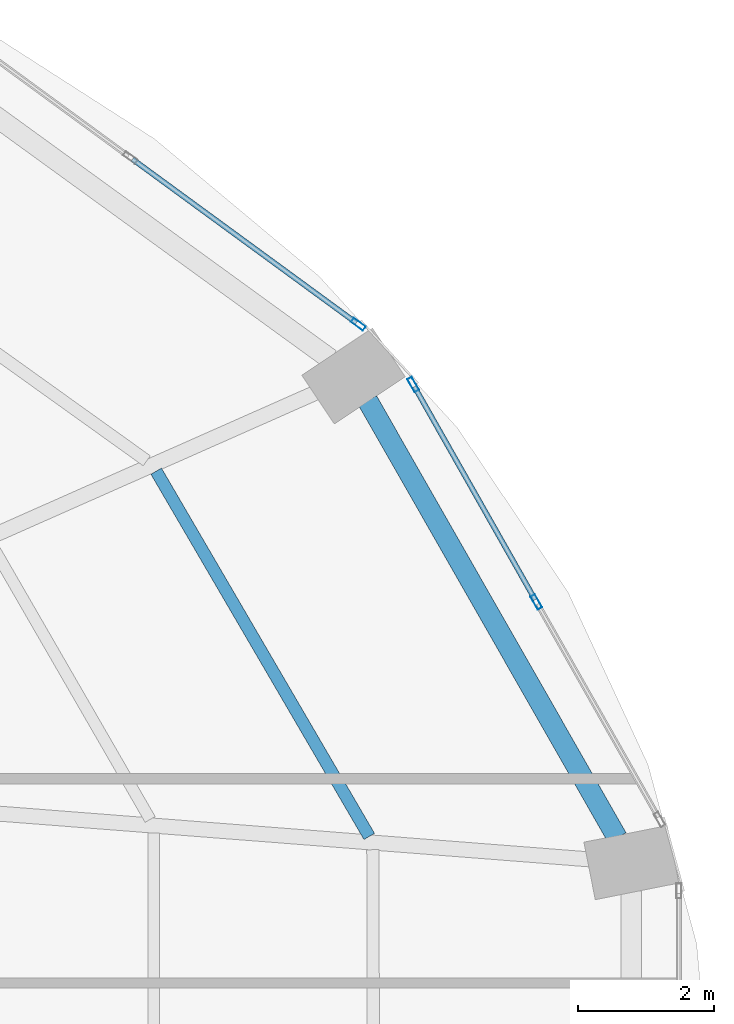
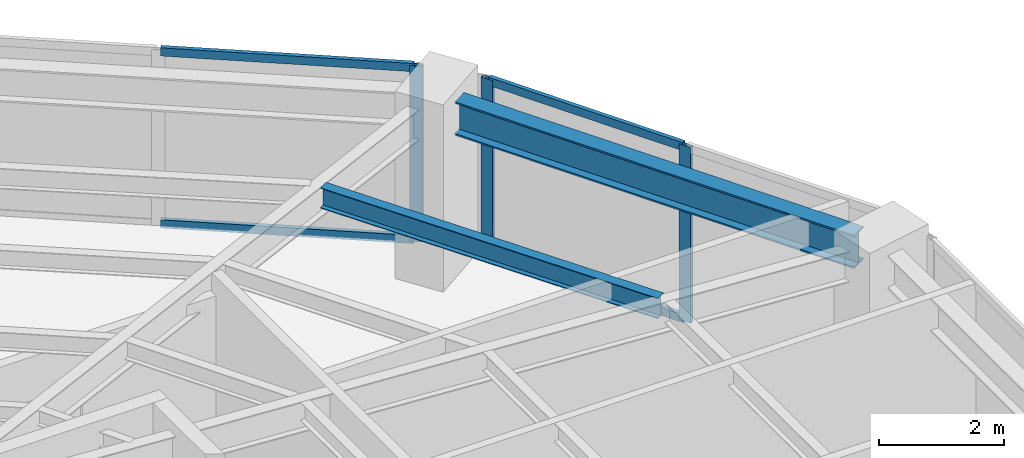
# One storey, part 19 of 25: 7 members, 2 beams, 2 elements without a shape of their own.
"""IFC4 building model written with IfcOpenShell, lengths in metres."""

import ifcopenshell
import ifcopenshell.guid

model = None  # the IFC model being written
_history = None  # IfcOwnerHistory: only IFC2X3 demands one
_inside = {}  # id of a spatial element -> (the spatial element, [elements in it])
_under = {}  # id of a project, library or spatial element -> (it, [spatial elements below it])
_declared = {}  # id of a project -> (the project, [libraries it declares])
_typed = {}  # id of a type object -> (the type object, [elements of that type])
_made_of = {}  # id of a material, layer set ... -> (it, [elements and type objects made of it])


def new_model(schema):
    """Start an empty IFC model of exactly this schema.

    Asked for "IFC4X3", IfcOpenShell would pick the latest addendum, in which some entities
    have other attributes; the version numbers below select the first issue.
    IFC2X3 requires an IfcOwnerHistory on every rooted entity: one is made here for all.
    """
    global model, _history
    if schema == "IFC4X3":
        model = ifcopenshell.file(schema_version=(4, 3, 0, 0))
    else:
        model = ifcopenshell.file(schema=schema)
    _inside.clear()
    _under.clear()
    _declared.clear()
    _typed.clear()
    _made_of.clear()
    _history = None
    if model.schema == "IFC2X3":
        org = make("IfcOrganization", Name="unknown")
        user = make(
            "IfcPersonAndOrganization",
            ThePerson=make("IfcPerson", FamilyName="unknown"),
            TheOrganization=org,
        )
        app = make(
            "IfcApplication",
            ApplicationDeveloper=org,
            Version="unknown",
            ApplicationFullName="unknown",
            ApplicationIdentifier="unknown",
        )
        _history = make(
            "IfcOwnerHistory",
            OwningUser=user,
            OwningApplication=app,
            ChangeAction="ADDED",
            CreationDate=0,
        )
    return model


def make(cls, **values):
    """One entity of the class cls with the attributes given. An attribute that is None is left unset."""
    return model.create_entity(
        cls, **{name: value for name, value in values.items() if value is not None}
    )


def rooted(cls, **values):
    """An entity with a GlobalId (a new one), such as an element, a storey or a relation."""
    return make(cls, GlobalId=ifcopenshell.guid.new(), OwnerHistory=_history, **values)


def si_unit(unit_type, name, prefix=None):
    """IfcSIUnit, for example si_unit("LENGTHUNIT", "METRE", prefix="MILLI")."""
    return make("IfcSIUnit", UnitType=unit_type, Prefix=prefix, Name=name)


def assignment(units):
    """IfcUnitAssignment: the units of a project."""
    return None if units is None else make("IfcUnitAssignment", Units=units)


def point(xyz):
    """IfcCartesianPoint."""
    return None if xyz is None else make("IfcCartesianPoint", Coordinates=xyz)


def direction(xyz):
    """IfcDirection."""
    return None if xyz is None else make("IfcDirection", DirectionRatios=xyz)


def frame(location, z_axis=None, x_axis=None):
    """IfcAxis2Placement3D, a coordinate frame: its origin and axes. An axis left out is left unset."""
    return make(
        "IfcAxis2Placement3D",
        Location=point(location),
        Axis=direction(z_axis),
        RefDirection=direction(x_axis),
    )


def frame_2d(location, x_axis=None):
    """IfcAxis2Placement2D, a coordinate frame in the plane: its origin and x axis."""
    return make(
        "IfcAxis2Placement2D", Location=point(location), RefDirection=direction(x_axis)
    )


def origin():
    """The frame at (0, 0, 0) with its axes left unset."""
    return frame((0.0, 0.0, 0.0))


def origin_2d():
    """The frame at (0, 0) in the plane with its x axis left unset."""
    return frame_2d((0.0, 0.0))


def place(relative_to, where):
    """IfcLocalPlacement: puts the frame where relative to a parent placement (None: the world)."""
    return make(
        "IfcLocalPlacement", PlacementRelTo=relative_to, RelativePlacement=where
    )


def context(
    kind, dimensions, precision=None, world=None, true_north=None, identifier=None
):
    """IfcGeometricRepresentationContext, for example the 3D "Model" context."""
    return make(
        "IfcGeometricRepresentationContext",
        ContextIdentifier=identifier,
        ContextType=kind,
        CoordinateSpaceDimension=dimensions,
        Precision=precision,
        WorldCoordinateSystem=world,
        TrueNorth=true_north,
    )


def subcontext(parent, identifier, kind, view, scale=None):
    """IfcGeometricRepresentationSubContext, for example "Body" below "Model"."""
    return make(
        "IfcGeometricRepresentationSubContext",
        ContextIdentifier=identifier,
        ContextType=kind,
        ParentContext=parent,
        TargetScale=scale,
        TargetView=view,
    )


def project(units=None, contexts=None):
    """IfcProject with its units and contexts."""
    return rooted(
        "IfcProject",
        Name="project",
        RepresentationContexts=contexts,
        UnitsInContext=assignment(units),
    )


def spatial(cls, under=None, at=None, **own):
    """A site, building, storey or space (cls), placed at a placement, below another one or the project."""
    s = rooted(cls, ObjectPlacement=at, **own)
    if under is not None:
        _under.setdefault(under.id(), (under, []))[1].append(s)
    return s


def profile(cls, at=None, kind="AREA", **sizes):
    """A parametric profile (cls). Its sizes go by their IFC names, for example OverallWidth=200.0."""
    return make(cls, ProfileType=kind, Position=at, **sizes)


def hollow_rectangle(**sizes):
    """IfcRectangleHollowProfileDef."""
    return profile("IfcRectangleHollowProfileDef", **sizes)


def i_section(**sizes):
    """IfcIShapeProfileDef."""
    return profile("IfcIShapeProfileDef", **sizes)


def extrude(swept, where, along, depth):
    """IfcExtrudedAreaSolid: the profile swept, set in the frame where, extruded along a direction by depth."""
    return make(
        "IfcExtrudedAreaSolid",
        SweptArea=swept,
        Position=where,
        ExtrudedDirection=direction(along),
        Depth=depth,
    )


def shape(context_of_items, identifier, shape_type, items):
    """IfcShapeRepresentation: the items that make up one representation, for example the "Body"."""
    return make(
        "IfcShapeRepresentation",
        ContextOfItems=context_of_items,
        RepresentationIdentifier=identifier,
        RepresentationType=shape_type,
        Items=items,
    )


def material(Name=None, Category=None):
    """IfcMaterial."""
    return make("IfcMaterial", Name=Name, Category=Category)


def layer(
    of_material, thickness, ventilated=None, Name=None, Category=None, Priority=None
):
    """IfcMaterialLayer: one layer of a wall or slab, of a material (None: an air gap)."""
    return make(
        "IfcMaterialLayer",
        Material=of_material,
        LayerThickness=thickness,
        IsVentilated=ventilated,
        Name=Name,
        Category=Category,
        Priority=Priority,
    )


def layer_set(layers, Name=None):
    """IfcMaterialLayerSet."""
    return make("IfcMaterialLayerSet", MaterialLayers=layers, LayerSetName=Name)


def material_profile(
    of_material, cross_section, Name=None, Category=None, Priority=None
):
    """IfcMaterialProfile: a cross section and its material."""
    return make(
        "IfcMaterialProfile",
        Name=Name,
        Material=of_material,
        Profile=cross_section,
        Priority=Priority,
        Category=Category,
    )


def profile_set(profiles, Name=None, composite=None):
    """IfcMaterialProfileSet."""
    return make(
        "IfcMaterialProfileSet",
        Name=Name,
        MaterialProfiles=profiles,
        CompositeProfile=composite,
    )


def made_of(thing, what):
    """Note that an element or type object is made of a material, layer set ...; save() writes the relation."""
    if what is not None:
        _made_of.setdefault(what.id(), (what, []))[1].append(thing)
    return thing


def type_object(cls, material=None, **own):
    """A type object (cls), such as IfcWallType, which elements share."""
    return made_of(rooted(cls, **own), material)


def element(
    cls,
    number,
    at=None,
    inside=None,
    cuts=None,
    type_object=None,
    material=None,
    context=None,
    identifier="Body",
    shape_type=None,
    held_by="IfcProductDefinitionShape",
    body=None,
    shapes=None,
    **own,
):
    """One element of the class cls, such as IfcWall. Its Tag is "e" and its number.

    at: its placement. inside: the storey or other place that contains it. cuts: it is an
    opening in that element (IfcRelVoidsElement). A single representation is given by context,
    identifier, shape_type and body (its items); several are given by shapes. held_by: the class
    of the entity that holds the representations. save() writes the other relations.
    """
    e = rooted(cls, Tag="e%d" % number, ObjectPlacement=at, **own)
    if body is not None:
        shapes = [shape(context, identifier, shape_type, body)]
    if shapes is not None:
        e.Representation = make(held_by, Representations=shapes)
    if inside is not None:
        _inside.setdefault(inside.id(), (inside, []))[1].append(e)
    if cuts is not None:
        rooted(
            "IfcRelVoidsElement", RelatingBuildingElement=cuts, RelatedOpeningElement=e
        )
    if type_object is not None:
        _typed.setdefault(type_object.id(), (type_object, []))[1].append(e)
    return made_of(e, material)


def aggregate(whole, parts):
    """IfcRelAggregates: a whole, such as a stair, and the parts it consists of."""
    return rooted("IfcRelAggregates", RelatingObject=whole, RelatedObjects=parts)


def save(model, path):
    """Write the relations noted so far, then the file.

    IfcRelAggregates (storeys below a building ...), IfcRelContainedInSpatialStructure (elements
    in a storey), IfcRelDefinesByType, IfcRelAssociatesMaterial and IfcRelDeclares: one each for
    every whole, place, type object, material and project.
    """
    for whole, parts in _under.values():
        aggregate(whole, parts)
    for where, things in _inside.values():
        rooted(
            "IfcRelContainedInSpatialStructure",
            RelatedElements=things,
            RelatingStructure=where,
        )
    for kind, things in _typed.values():
        rooted("IfcRelDefinesByType", RelatedObjects=things, RelatingType=kind)
    for what, things in _made_of.values():
        rooted("IfcRelAssociatesMaterial", RelatedObjects=things, RelatingMaterial=what)
    for by, libraries in _declared.values():
        rooted("IfcRelDeclares", RelatingContext=by, RelatedDefinitions=libraries)
    model.write(path)


model = new_model("IFC4")

# Units and contexts
model_context = context("Model", 3, precision=1e-05, world=origin(), true_north=direction((0.0, 1.0)))
body_context = subcontext(model_context, "Body", "Model", "MODEL_VIEW")
ifc_project = project(units=[si_unit("LENGTHUNIT", "METRE"), si_unit("AREAUNIT", "SQUARE_METRE"), si_unit("VOLUMEUNIT", "CUBIC_METRE"), si_unit("PLANEANGLEUNIT", "RADIAN"), si_unit("MASSUNIT", "GRAM", prefix="KILO")], contexts=[model_context])

# Site, building, storey
site_placement = place(None, origin())
site = spatial("IfcSite", under=ifc_project, at=site_placement, CompositionType="ELEMENT")
building_placement = place(site_placement, origin())
building = spatial("IfcBuilding", under=site, at=building_placement, Name="Lazwardi Medical Tower", CompositionType="ELEMENT")
storey_placement = place(building_placement, frame((0.0, 0.0, 50.736083984375)))
storey = spatial("IfcBuildingStorey", under=building, at=storey_placement, Name="L12", CompositionType="ELEMENT", Elevation=50.736083984375)

# Beams
ifc_material_1 = material(Name="Steel S355", Category="steel")
ifc_material_profile_1 = material_profile(ifc_material_1, i_section(OverallWidth=0.300048828125, OverallDepth=0.64990234375, WebThickness=0.01611328125, FlangeThickness=0.031005859375, at=origin_2d()), Name="HEB 650")
ifc_profile_set_1 = profile_set([ifc_material_profile_1], Name="Steel S355")
beam_type_1 = type_object("IfcBeamType", Name="BM-RB-Z1", PredefinedType="BEAM", material=ifc_profile_set_1)
beam_1_placement = place(storey_placement, frame((62.591796875, 34.63232421875, 3.10302734375), z_axis=(-0.49581512241, 0.868428099724, 0.0), x_axis=(-0.868428099724, -0.49581512241, 0.0)))
element("IfcBeam", 1, at=beam_1_placement, inside=storey, type_object=beam_type_1, Name="Ring beam RB-02 B05 L12", PredefinedType="BEAM", context=body_context, shape_type="SweptSolid", body=[
    extrude(i_section(OverallWidth=0.300048828125, OverallDepth=0.64990234375, WebThickness=0.01611328125, FlangeThickness=0.031005859375, at=origin_2d()), origin(), (0.0, 0.0, 1.0), 7.389404296875),
])
ifc_material_profile_2 = material_profile(ifc_material_1, i_section(OverallWidth=0.179931640625, OverallDepth=0.39990234375, WebThickness=0.008544921875, FlangeThickness=0.013427734375, at=origin_2d()), Name="IPE 400")
ifc_profile_set_2 = profile_set([ifc_material_profile_2], Name="Steel S355")
beam_type_2 = type_object("IfcBeamType", Name="BM-SJ-01", PredefinedType="JOIST", material=ifc_profile_set_2)
beam_2_placement = place(storey_placement, frame((58.951171875, 34.65234375, 3.22802734375), z_axis=(-0.503846579557, 0.863793160582, 0.0), x_axis=(-0.863793160582, -0.503846579557, 0.0)))
element("IfcBeam", 2, at=beam_2_placement, inside=storey, type_object=beam_type_2, Name="Secondary joist SJ-01 R1 B05 L12", PredefinedType="JOIST", context=body_context, shape_type="SweptSolid", body=[
    extrude(i_section(OverallWidth=0.179931640625, OverallDepth=0.39990234375, WebThickness=0.008544921875, FlangeThickness=0.013427734375, at=origin_2d()), origin(), (0.0, 0.0, 1.0), 6.20947265625),
])

# Curtain wall, members
ifc_material_2 = material(Name="Anodised bronze aluminium and solar control glazing", Category="aluminium")
ifc_layer = layer(ifc_material_2, 0.199951171875)
ifc_layer_set = layer_set([ifc_layer], Name="Anodised bronze aluminium and solar control glazing")
curtain_wall_type = type_object("IfcCurtainWallType", Name="CW-SYS-02", PredefinedType="NOTDEFINED", material=ifc_layer_set)
curtain_wall_1_placement = place(storey_placement, origin())
curtain_wall_1 = element("IfcCurtainWall", 3, at=curtain_wall_1_placement, inside=storey, type_object=curtain_wall_type, Name="L12 Unitised bronze curtain wall CW-02", PredefinedType="NOTDEFINED")
ifc_material_3 = material(Name="Anodised bronze aluminium", Category="aluminium")
ifc_material_profile_3 = material_profile(ifc_material_3, hollow_rectangle(XDim=0.074951171875, YDim=0.219970703125, WallThickness=0.00390625, at=origin_2d()), Name="ALU-MULLION 220x75x4")
ifc_profile_set_3 = profile_set([ifc_material_profile_3], Name="Anodised bronze aluminium")
member_type_1 = type_object("IfcMemberType", Name="CW-MUL-01", PredefinedType="MULLION", material=ifc_profile_set_3)
member_1_placement = place(storey_placement, frame((61.4052734375, 38.095458984375, 0.0), z_axis=(0.0, 0.0, 1.0), x_axis=(-0.870111838823, -0.492854327303, 0.0)))
member_1 = element("IfcMember", 4, at=member_1_placement, type_object=member_type_1, Name="CW-02 mullion 2", PredefinedType="MULLION", context=body_context, shape_type="SweptSolid", body=[
    extrude(hollow_rectangle(XDim=0.074951171875, YDim=0.219970703125, WallThickness=0.00390625, at=origin_2d()), origin(), (0.0, 0.0, 1.0), 3.427978515625),
])
member_2_placement = place(storey_placement, frame((59.5966796875, 41.28857421875, 0.0), z_axis=(0.0, 0.0, 1.0), x_axis=(-0.870111838823, -0.492854327303, 0.0)))
member_2 = element("IfcMember", 5, at=member_2_placement, type_object=member_type_1, Name="CW-02 mullion 3", PredefinedType="MULLION", context=body_context, shape_type="SweptSolid", body=[
    extrude(hollow_rectangle(XDim=0.074951171875, YDim=0.219970703125, WallThickness=0.00390625, at=origin_2d()), origin(), (0.0, 0.0, 1.0), 3.427978515625),
])

# Curtain wall, member
curtain_wall_2_placement = place(storey_placement, origin())
curtain_wall_2 = element("IfcCurtainWall", 6, at=curtain_wall_2_placement, inside=storey, type_object=curtain_wall_type, Name="L12 Unitised bronze curtain wall CW-02", PredefinedType="NOTDEFINED")
member_3_placement = place(storey_placement, frame((58.790283203125, 42.172607421875, 0.0), z_axis=(0.0, 0.0, 1.0), x_axis=(-0.590289307341, -0.807191757663, 0.0)))
member_3 = element("IfcMember", 7, at=member_3_placement, type_object=member_type_1, Name="CW-02 mullion 1", PredefinedType="MULLION", context=body_context, shape_type="SweptSolid", body=[
    extrude(hollow_rectangle(XDim=0.074951171875, YDim=0.219970703125, WallThickness=0.00390625, at=origin_2d()), origin(), (0.0, 0.0, 1.0), 3.427978515625),
])

# Member
ifc_material_profile_4 = material_profile(ifc_material_3, hollow_rectangle(XDim=0.074951171875, YDim=0.159912109375, WallThickness=0.00390625, at=origin_2d()), Name="ALU-TRANSOM 160x75x4")
ifc_profile_set_4 = profile_set([ifc_material_profile_4], Name="Anodised bronze aluminium")
member_type_2 = type_object("IfcMemberType", Name="CW-TRN-01", PredefinedType="USERDEFINED", material=ifc_profile_set_4)
member_4_placement = place(storey_placement, frame((61.386962890625, 38.128173828125, 0.037353515625), z_axis=(-0.492880614687, 0.870096948429, 0.0), x_axis=(-0.870096948429, -0.492880614687, 0.0)))
member_4 = element("IfcMember", 8, at=member_4_placement, type_object=member_type_2, Name="CW-02 transom 2.1", ObjectType="TRANSOM", PredefinedType="USERDEFINED", context=body_context, shape_type="SweptSolid", body=[
    extrude(hollow_rectangle(XDim=0.074951171875, YDim=0.159912109375, WallThickness=0.00390625, at=origin_2d()), origin(), (0.0, 0.0, 1.0), 3.5947265625),
])

member_5_placement = place(storey_placement, frame((61.386962890625, 38.128173828125, 3.390380859375), z_axis=(-0.492880614687, 0.870096948429, 0.0), x_axis=(-0.870096948429, -0.492880614687, 0.0)))
member_5 = element("IfcMember", 9, at=member_5_placement, type_object=member_type_2, Name="CW-02 transom 2.2", ObjectType="TRANSOM", PredefinedType="USERDEFINED", context=body_context, shape_type="SweptSolid", body=[
    extrude(hollow_rectangle(XDim=0.074951171875, YDim=0.159912109375, WallThickness=0.00390625, at=origin_2d()), origin(), (0.0, 0.0, 1.0), 3.5947265625),
])

aggregate(curtain_wall_1, [member_1, member_2, member_4, member_5])

member_6_placement = place(storey_placement, frame((58.760009765625, 42.194580078125, 0.037353515625), z_axis=(-0.807189956199, 0.590291770748, 0.0), x_axis=(-0.590291770748, -0.807189956199, 0.0)))
member_6 = element("IfcMember", 10, at=member_6_placement, type_object=member_type_2, Name="CW-02 transom 1.1", ObjectType="TRANSOM", PredefinedType="USERDEFINED", context=body_context, shape_type="SweptSolid", body=[
    extrude(hollow_rectangle(XDim=0.074951171875, YDim=0.159912109375, WallThickness=0.00390625, at=origin_2d()), origin(), (0.0, 0.0, 1.0), 4.070068359375),
])

member_7_placement = place(storey_placement, frame((58.760009765625, 42.194580078125, 3.390380859375), z_axis=(-0.807189956199, 0.590291770748, 0.0), x_axis=(-0.590291770748, -0.807189956199, 0.0)))
member_7 = element("IfcMember", 11, at=member_7_placement, type_object=member_type_2, Name="CW-02 transom 1.2", ObjectType="TRANSOM", PredefinedType="USERDEFINED", context=body_context, shape_type="SweptSolid", body=[
    extrude(hollow_rectangle(XDim=0.074951171875, YDim=0.159912109375, WallThickness=0.00390625, at=origin_2d()), origin(), (0.0, 0.0, 1.0), 4.070068359375),
])

aggregate(curtain_wall_2, [member_3, member_6, member_7])

save(model, "model.ifc")
